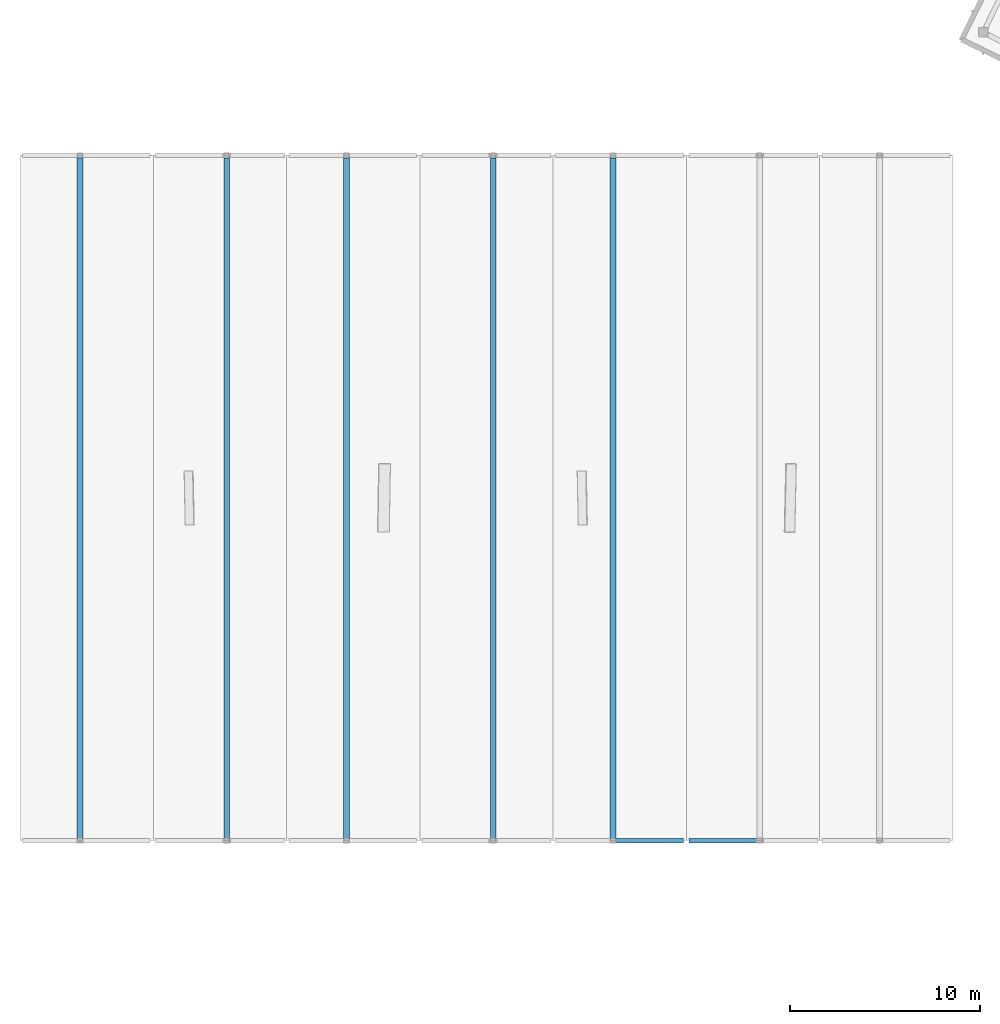
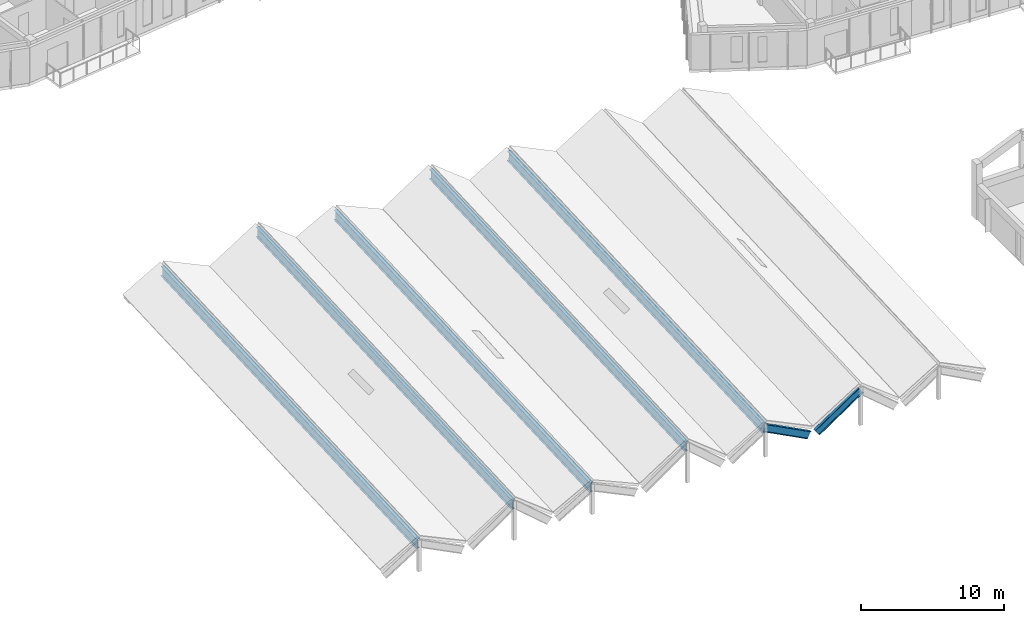
# One storey, part 7 of 127: 7 beams.
"""IFC4 building model written with IfcOpenShell, lengths in metres."""

from ifc_helpers import new_model, si_unit, direction, frame, origin, origin_2d, place, context, subcontext, project, spatial, i_section, extrude, material, material_profile, profile_set, type_object, element, save


model = new_model("IFC4")

# Units and contexts
model_context = context("Model", 3, precision=1e-05, world=origin(), true_north=direction((0.0, 1.0)))
body_context = subcontext(model_context, "Body", "Model", "MODEL_VIEW")
ifc_project = project(units=[si_unit("LENGTHUNIT", "METRE"), si_unit("AREAUNIT", "SQUARE_METRE"), si_unit("VOLUMEUNIT", "CUBIC_METRE"), si_unit("PLANEANGLEUNIT", "RADIAN"), si_unit("MASSUNIT", "GRAM", prefix="KILO")], contexts=[model_context])

# Site, building, storey
site_placement = place(None, origin())
site = spatial("IfcSite", under=ifc_project, at=site_placement, CompositionType="ELEMENT")
building_placement = place(site_placement, origin())
building = spatial("IfcBuilding", under=site, at=building_placement, Name="Kestramere Prow Commons", CompositionType="ELEMENT")
storey_placement = place(building_placement, frame((0.0, 0.0, 8.39990234375)))
storey = spatial("IfcBuildingStorey", under=building, at=storey_placement, Name="L02", CompositionType="ELEMENT", Elevation=8.39990234375)

# Beams
ifc_material = material(Name="Steel S355JR", Category="steel")
ifc_material_profile_1 = material_profile(ifc_material, i_section(OverallWidth=0.22900390625, OverallDepth=0.6123046875, WebThickness=0.011962890625, FlangeThickness=0.01953125, FilletRadius=0.0126953125, at=origin_2d()), Name="UB 610x229x125")
ifc_profile_set_1 = profile_set([ifc_material_profile_1], Name="Steel S355JR")
beam_type_1 = type_object("IfcBeamType", Name="BM-FP-GAB UB 610x229x125", PredefinedType="BEAM", material=ifc_profile_set_1)
beam_1_placement = place(storey_placement, frame((33.35009765625, 7.5, 1.29150390625), z_axis=(0.886787032603, 0.0, -0.462178276002), x_axis=(0.0, 1.0, 0.0)))
element("IfcBeam", 1, at=beam_1_placement, inside=storey, type_object=beam_type_1, Name="Hall Gable Fold Rafter 5SR", PredefinedType="BEAM", context=body_context, shape_type="SweptSolid", body=[
    extrude(i_section(OverallWidth=0.22900390625, OverallDepth=0.6123046875, WebThickness=0.011962890625, FlangeThickness=0.01953125, FilletRadius=0.0126953125, at=origin_2d()), origin(), (0.0, 0.0, 1.0), 4.0029296875),
])
beam_2_placement = place(storey_placement, frame((37.5, 7.5, -0.55859375), z_axis=(0.828430362338, 0.0, 0.560092077034), x_axis=(0.0, 1.0, 0.0)))
element("IfcBeam", 2, at=beam_2_placement, inside=storey, type_object=beam_type_1, Name="Hall Gable Fold Rafter 6SL", PredefinedType="BEAM", context=body_context, shape_type="SweptSolid", body=[
    extrude(i_section(OverallWidth=0.22900390625, OverallDepth=0.6123046875, WebThickness=0.011962890625, FlangeThickness=0.01953125, FilletRadius=0.0126953125, at=origin_2d()), origin(), (0.0, 0.0, 1.0), 4.28515625),
])
ifc_material_profile_2 = material_profile(ifc_material, i_section(OverallWidth=0.293701171875, OverallDepth=0.850830078125, WebThickness=0.01611328125, FlangeThickness=0.02685546875, FilletRadius=0.017822265625, at=origin_2d()), Name="UB 838x292x226")
ifc_profile_set_2 = profile_set([ifc_material_profile_2], Name="Steel S355JR")
beam_type_2 = type_object("IfcBeamType", Name="BM-FP-RDG UB 838x292x226", PredefinedType="BEAM", material=ifc_profile_set_2)
for number, where, z_axis, x_axis, name in (
    (3, (5.35009765625, 7.614501953125, 1.12744140625), (0.0, 0.998951432058, 0.045782489976), (-1.0, 0.0, 0.0), "Hall Folded-Plate Ridge Chord 1"),
    (4, (13.050048828125, 7.614501953125, 1.77734375), (0.0, 0.99895112022, 0.045789293625), (-1.0, 0.0, 0.0), "Hall Folded-Plate Ridge Chord 2"),
    (5, (19.35009765625, 7.614501953125, 1.02734375), (0.0, 0.99895112022, 0.045789293625), (-1.0, 0.0, 0.0), "Hall Folded-Plate Ridge Chord 3"),
    (6, (27.050048828125, 7.614501953125, 1.827392578125), (0.0, 0.998951432058, 0.045782489976), (-1.0, 0.0, 0.0), "Hall Folded-Plate Ridge Chord 4"),
    (7, (33.35009765625, 7.614501953125, 1.177490234375), (0.0, 0.998951432058, 0.045782489976), (-1.0, 0.0, 0.0), "Hall Folded-Plate Ridge Chord 5"),
):
    element("IfcBeam", number, at=place(storey_placement, frame(where, z_axis=z_axis, x_axis=x_axis)), inside=storey, type_object=beam_type_2, Name=name, PredefinedType="BEAM", context=body_context, shape_type="SweptSolid", body=[
        extrude(i_section(OverallWidth=0.293701171875, OverallDepth=0.850830078125, WebThickness=0.01611328125, FlangeThickness=0.02685546875, FilletRadius=0.017822265625, at=origin_2d()), origin(), (0.0, 0.0, 1.0), 35.80859375),
    ])

save(model, "model.ifc")
